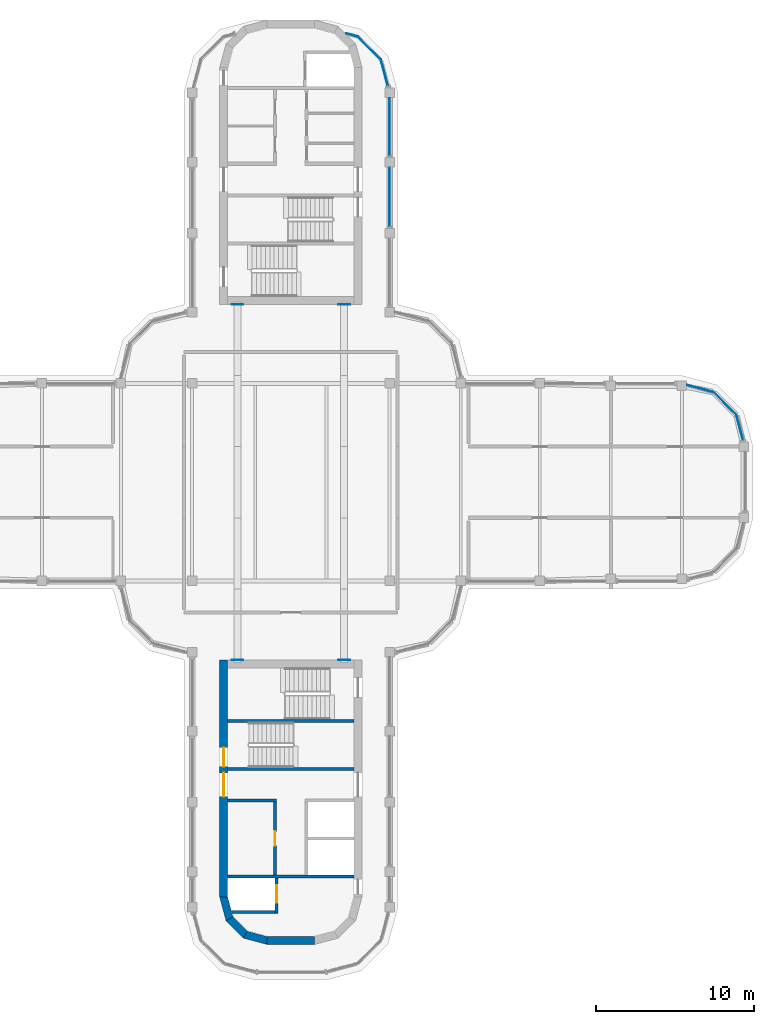
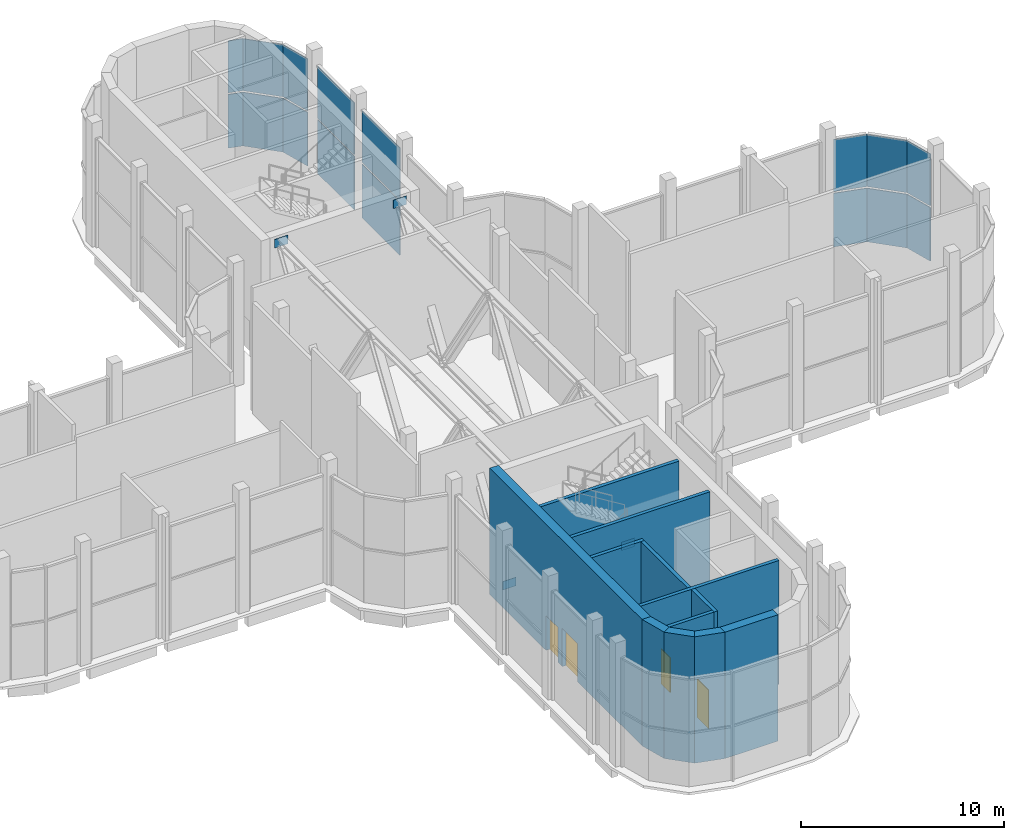
# One storey, part 10 of 15: 20 plates, 12 walls, 4 doors, 4 openings, 7 elements without a shape of their own.
"""IFC4 building model written with IfcOpenShell, lengths in metres."""

from ifc_helpers import new_model, si_unit, direction, frame, frame_2d, origin, origin_2d, place, context, subcontext, project, spatial, polyline, rectangle, outline, extrude, source, transform, mapped, material, layer, layer_set, type_object, element, fill, aggregate, save


model = new_model("IFC4")

# Units and contexts
model_context = context("Model", 3, precision=1e-05, world=origin(), true_north=direction((0.0, 1.0)))
body_context = subcontext(model_context, "Body", "Model", "MODEL_VIEW")
ifc_project = project(units=[si_unit("LENGTHUNIT", "METRE"), si_unit("AREAUNIT", "SQUARE_METRE"), si_unit("VOLUMEUNIT", "CUBIC_METRE"), si_unit("PLANEANGLEUNIT", "RADIAN"), si_unit("MASSUNIT", "GRAM", prefix="KILO")], contexts=[model_context])

# Site, building, storey
site_placement = place(None, origin())
site = spatial("IfcSite", under=ifc_project, at=site_placement, CompositionType="ELEMENT")
building_placement = place(site_placement, origin())
building = spatial("IfcBuilding", under=site, at=building_placement, Name="Zarbagh Exchange Tower", CompositionType="ELEMENT")
storey_placement = place(building_placement, frame((0.0, 0.0, 284.0)))
storey = spatial("IfcBuildingStorey", under=building, at=storey_placement, Name="L70", CompositionType="ELEMENT", Elevation=284.0)

# Plates
ifc_material_1 = material(Name="Steel ASTM A572 Grade 50", Category="steel")
ifc_layer_1 = layer(ifc_material_1, 0.030029296875)
ifc_layer_set_1 = layer_set([ifc_layer_1], Name="Cast-in plate 750 x 510 x 30")
plate_type_1 = type_object("IfcPlateType", Name="Cast-in plate 750 x 510 x 30", PredefinedType="USERDEFINED", material=ifc_layer_set_1)
for number, where, z_axis, x_axis, name in (
    (1, (-3.375, -11.235107421875, 0.00146484375), (0.0, 0.0, 1.0), (1.0, 0.0, 0.0), "Cast-in plate MT2 south end 1"),
    (2, (-3.375, 11.235107421875, 6.9384765625), (0.0, 0.0, 1.0), (1.0, 0.0, 0.0), "Cast-in plate MT2 north end 1"),
    (3, (3.375, -11.235107421875, 0.00146484375), (0.0, 0.0, 1.0), (1.0, 0.0, 0.0), "Cast-in plate MT2 south end 2"),
    (4, (3.375, 11.235107421875, 6.9384765625), (0.0, 0.0, 1.0), (1.0, 0.0, 0.0), "Cast-in plate MT2 north end 2"),
):
    element("IfcPlate", number, at=place(storey_placement, frame(where, z_axis=z_axis, x_axis=x_axis)), inside=storey, type_object=plate_type_1, Name=name, ObjectType="MOUNTING PLATE", PredefinedType="USERDEFINED", context=body_context, shape_type="SweptSolid", body=[
        extrude(rectangle(XDim=0.75, YDim=0.030029296875, at=origin_2d()), origin(), (0.0, 0.0, 1.0), 0.510009765625),
    ])

# Curtain wall, plate
ifc_material_2 = material(Name="Anodised aluminium frame and glazing", Category="aluminium")
curtain_wall_type = type_object("IfcCurtainWallType", Name="CWE Damper-floor glazed wall", PredefinedType="NOTDEFINED", material=ifc_material_2)
curtain_wall_1_placement = place(storey_placement, origin())
curtain_wall_1 = element("IfcCurtainWall", 5, at=curtain_wall_1_placement, inside=storey, type_object=curtain_wall_type, Name="CWE14 curtain wall", PredefinedType="NOTDEFINED")
ifc_material_3 = material(Name="Low-e double glazed unit, 6+12+6 mm")
ifc_layer_2 = layer(ifc_material_3, 0.0400390625)
ifc_layer_set_2 = layer_set([ifc_layer_2], Name="PAE Glazing panel, Low-e double glazed unit, 6+12+6 mm")
plate_type_2 = type_object("IfcPlateType", Name="PAE Glazing panel, Low-e double glazed unit, 6+12+6 mm", PredefinedType="CURTAIN_PANEL", material=ifc_layer_set_2)
shared_shape_1 = source(origin(), body_context, "Body", "SweptSolid", [
    extrude(outline(polyline([(0.0, -0.02001953125), (2.061279296875, -0.02001953125), (2.061279296875, 0.02001953125), (0.0, 0.02001953125), (0.0, -0.02001953125)])), origin(), (0.0, 0.0, 1.0), 3.22509765625),
])
placement = place(storey_placement, origin())
plate_1 = element("IfcPlate", 6, at=placement, type_object=plate_type_2, Name="CWE14 glazing panel 1.1", PredefinedType="CURTAIN_PANEL", context=body_context, shape_type="MappedRepresentation", body=[
    mapped(shared_shape_1, transform((28.19873046875, 4.2412109375, 0.0), x_axis=(-0.707106781187, 0.707106781187, 0.0), y_axis=(-0.707106781187, -0.707106781187, 0.0), z_axis=(0.0, 0.0, 1.0))),
])

curtain_wall_2_placement = place(storey_placement, origin())
curtain_wall_2 = element("IfcCurtainWall", 7, at=curtain_wall_2_placement, inside=storey, type_object=curtain_wall_type, Name="CWE22 curtain wall", PredefinedType="NOTDEFINED")
plate_2 = element("IfcPlate", 8, at=placement, type_object=plate_type_2, Name="CWE22 glazing panel 1.1", PredefinedType="CURTAIN_PANEL", context=body_context, shape_type="MappedRepresentation", body=[
    mapped(shared_shape_1, transform((5.69873046875, 26.7412109375, 0.0), x_axis=(-0.707106781187, 0.707106781187, 0.0), y_axis=(-0.707106781187, -0.707106781187, 0.0), z_axis=(0.0, 0.0, 1.0))),
])

# Plate
shared_shape_2 = source(origin(), body_context, "Body", "SweptSolid", [
    extrude(outline(polyline([(0.0, -0.02001953125), (2.061279296875, -0.02001953125), (2.061279296875, 0.02001953125), (0.0, 0.02001953125), (0.0, -0.02001953125)])), origin(), (0.0, 0.0, 1.0), 3.125),
])
plate_3 = element("IfcPlate", 9, at=placement, type_object=plate_type_2, Name="CWE14 glazing panel 1.1", PredefinedType="CURTAIN_PANEL", context=body_context, shape_type="MappedRepresentation", body=[
    mapped(shared_shape_2, transform((28.19873046875, 4.2412109375, 3.324951171875), x_axis=(-0.707106781187, 0.707106781187, 0.0), y_axis=(-0.707106781187, -0.707106781187, 0.0), z_axis=(0.0, 0.0, 1.0))),
])

aggregate(curtain_wall_1, [plate_1, plate_3])

plate_4 = element("IfcPlate", 10, at=placement, type_object=plate_type_2, Name="CWE22 glazing panel 1.1", PredefinedType="CURTAIN_PANEL", context=body_context, shape_type="MappedRepresentation", body=[
    mapped(shared_shape_2, transform((5.69873046875, 26.7412109375, 3.324951171875), x_axis=(-0.707106781187, 0.707106781187, 0.0), y_axis=(-0.707106781187, -0.707106781187, 0.0), z_axis=(0.0, 0.0, 1.0))),
])

aggregate(curtain_wall_2, [plate_2, plate_4])

# Curtain wall, plates
curtain_wall_3_placement = place(storey_placement, origin())
curtain_wall_3 = element("IfcCurtainWall", 11, at=curtain_wall_3_placement, inside=storey, type_object=curtain_wall_type, Name="CWE20 curtain wall", PredefinedType="NOTDEFINED")
shared_shape_3 = source(origin(), body_context, "Body", "SweptSolid", [
    extrude(outline(polyline([(0.0, -0.02001953125), (3.6201171875, -0.02001953125), (3.6201171875, 0.02001953125), (0.0, 0.02001953125), (0.0, -0.02001953125)])), origin(), (0.0, 0.0, 1.0), 3.22509765625),
])
plate_5 = element("IfcPlate", 12, at=placement, type_object=plate_type_2, Name="CWE20 glazing panel 3.1", PredefinedType="CURTAIN_PANEL", context=body_context, shape_type="MappedRepresentation", body=[
    mapped(shared_shape_3, transform((6.25, 20.68994140625, 0.0), x_axis=(0.0, 1.0, 0.0), y_axis=(-1.0, 0.0, 0.0), z_axis=(0.0, 0.0, 1.0))),
])
shared_shape_4 = source(origin(), body_context, "Body", "SweptSolid", [
    extrude(outline(polyline([(0.0, -0.02001953125), (3.6201171875, -0.02001953125), (3.6201171875, 0.02001953125), (0.0, 0.02001953125), (0.0, -0.02001953125)])), origin(), (0.0, 0.0, 1.0), 3.125),
])
plate_6 = element("IfcPlate", 13, at=placement, type_object=plate_type_2, Name="CWE20 glazing panel 3.1", PredefinedType="CURTAIN_PANEL", context=body_context, shape_type="MappedRepresentation", body=[
    mapped(shared_shape_4, transform((6.25, 20.68994140625, 3.324951171875), x_axis=(0.0, 1.0, 0.0), y_axis=(-1.0, 0.0, 0.0), z_axis=(0.0, 0.0, 1.0))),
])
shared_shape_5 = source(origin(), body_context, "Body", "SweptSolid", [
    extrude(outline(polyline([(0.0, -0.02001953125), (3.719970703125, -0.02001953125), (3.719970703125, 0.02001953125), (0.0, 0.02001953125), (0.0, -0.02001953125)])), origin(), (0.0, 0.0, 1.0), 3.22509765625),
])
plate_7 = element("IfcPlate", 14, at=placement, type_object=plate_type_2, Name="CWE20 glazing panel 2.1", PredefinedType="CURTAIN_PANEL", context=body_context, shape_type="MappedRepresentation", body=[
    mapped(shared_shape_5, transform((6.25, 16.18994140625, 0.0), x_axis=(0.0, 1.0, 0.0), y_axis=(-1.0, 0.0, 0.0), z_axis=(0.0, 0.0, 1.0))),
])
shared_shape_6 = source(origin(), body_context, "Body", "SweptSolid", [
    extrude(outline(polyline([(0.0, -0.02001953125), (3.719970703125, -0.02001953125), (3.719970703125, 0.02001953125), (0.0, 0.02001953125), (0.0, -0.02001953125)])), origin(), (0.0, 0.0, 1.0), 3.125),
])
plate_8 = element("IfcPlate", 15, at=placement, type_object=plate_type_2, Name="CWE20 glazing panel 2.1", PredefinedType="CURTAIN_PANEL", context=body_context, shape_type="MappedRepresentation", body=[
    mapped(shared_shape_6, transform((6.25, 16.18994140625, 3.324951171875), x_axis=(0.0, 1.0, 0.0), y_axis=(-1.0, 0.0, 0.0), z_axis=(0.0, 0.0, 1.0))),
])
aggregate(curtain_wall_3, [plate_7, plate_8, plate_5, plate_6])

curtain_wall_4_placement = place(storey_placement, origin())
curtain_wall_4 = element("IfcCurtainWall", 16, at=curtain_wall_4_placement, inside=storey, type_object=curtain_wall_type, Name="CWE13 curtain wall", PredefinedType="NOTDEFINED")
shared_shape_7 = source(origin(), body_context, "Body", "SweptSolid", [
    extrude(outline(polyline([(0.0, -0.02001953125), (1.609619140625, -0.02001953125), (1.609619140625, 0.02001953125), (0.0, 0.02001953125), (0.0, -0.02001953125)])), origin(), (0.0, 0.0, 1.0), 3.22509765625),
])
plate_9 = element("IfcPlate", 17, at=placement, type_object=plate_type_2, Name="CWE13 glazing panel 1.1", PredefinedType="CURTAIN_PANEL", context=body_context, shape_type="MappedRepresentation", body=[
    mapped(shared_shape_7, transform((28.615478515625, 2.6865234375, 0.0), x_axis=(-0.258824779902, 0.965924289636, 0.0), y_axis=(-0.965924289636, -0.258824779902, 0.0), z_axis=(0.0, 0.0, 1.0))),
])
shared_shape_8 = source(origin(), body_context, "Body", "SweptSolid", [
    extrude(outline(polyline([(0.0, -0.02001953125), (1.609619140625, -0.02001953125), (1.609619140625, 0.02001953125), (0.0, 0.02001953125), (0.0, -0.02001953125)])), origin(), (0.0, 0.0, 1.0), 3.125),
])
plate_10 = element("IfcPlate", 18, at=placement, type_object=plate_type_2, Name="CWE13 glazing panel 1.1", PredefinedType="CURTAIN_PANEL", context=body_context, shape_type="MappedRepresentation", body=[
    mapped(shared_shape_8, transform((28.615478515625, 2.6865234375, 3.324951171875), x_axis=(-0.258824779902, 0.965924289636, 0.0), y_axis=(-0.965924289636, -0.258824779902, 0.0), z_axis=(0.0, 0.0, 1.0))),
])
aggregate(curtain_wall_4, [plate_9, plate_10])

curtain_wall_5_placement = place(storey_placement, origin())
curtain_wall_5 = element("IfcCurtainWall", 19, at=curtain_wall_5_placement, inside=storey, type_object=curtain_wall_type, Name="CWE15 curtain wall", PredefinedType="NOTDEFINED")
shared_shape_9 = source(origin(), body_context, "Body", "SweptSolid", [
    extrude(outline(polyline([(0.0, -0.02001953125), (1.70947265625, -0.02001953125), (1.70947265625, 0.02001953125), (0.0, 0.02001953125), (0.0, -0.02001953125)])), origin(), (0.0, 0.0, 1.0), 3.22509765625),
])
plate_11 = element("IfcPlate", 20, at=placement, type_object=plate_type_2, Name="CWE15 glazing panel 1.1", PredefinedType="CURTAIN_PANEL", context=body_context, shape_type="MappedRepresentation", body=[
    mapped(shared_shape_9, transform((26.7412109375, 5.69873046875, 0.0), x_axis=(-0.965924289636, 0.258824779902, 0.0), y_axis=(-0.258824779902, -0.965924289636, 0.0), z_axis=(0.0, 0.0, 1.0))),
])
shared_shape_10 = source(origin(), body_context, "Body", "SweptSolid", [
    extrude(outline(polyline([(0.0, -0.02001953125), (1.70947265625, -0.02001953125), (1.70947265625, 0.02001953125), (0.0, 0.02001953125), (0.0, -0.02001953125)])), origin(), (0.0, 0.0, 1.0), 3.125),
])
plate_12 = element("IfcPlate", 21, at=placement, type_object=plate_type_2, Name="CWE15 glazing panel 1.1", PredefinedType="CURTAIN_PANEL", context=body_context, shape_type="MappedRepresentation", body=[
    mapped(shared_shape_10, transform((26.7412109375, 5.69873046875, 3.324951171875), x_axis=(-0.965924289636, 0.258824779902, 0.0), y_axis=(-0.258824779902, -0.965924289636, 0.0), z_axis=(0.0, 0.0, 1.0))),
])
aggregate(curtain_wall_5, [plate_11, plate_12])

curtain_wall_6_placement = place(storey_placement, origin())
curtain_wall_6 = element("IfcCurtainWall", 22, at=curtain_wall_6_placement, inside=storey, type_object=curtain_wall_type, Name="CWE21 curtain wall", PredefinedType="NOTDEFINED")
shared_shape_11 = source(origin(), body_context, "Body", "SweptSolid", [
    extrude(outline(polyline([(0.0, -0.02001953125), (1.712890625, -0.02001953125), (1.712890625, 0.02001953125), (0.0, 0.02001953125), (0.0, -0.02001953125)])), origin(), (0.0, 0.0, 1.0), 3.22509765625),
])
plate_13 = element("IfcPlate", 23, at=placement, type_object=plate_type_2, Name="CWE21 glazing panel 1.1", PredefinedType="CURTAIN_PANEL", context=body_context, shape_type="MappedRepresentation", body=[
    mapped(shared_shape_11, transform((6.14208984375, 25.086669921875, 0.0), x_axis=(-0.258824779902, 0.965924289636, 0.0), y_axis=(-0.965924289636, -0.258824779902, 0.0), z_axis=(0.0, 0.0, 1.0))),
])
shared_shape_12 = source(origin(), body_context, "Body", "SweptSolid", [
    extrude(outline(polyline([(0.0, -0.02001953125), (1.712890625, -0.02001953125), (1.712890625, 0.02001953125), (0.0, 0.02001953125), (0.0, -0.02001953125)])), origin(), (0.0, 0.0, 1.0), 3.125),
])
plate_14 = element("IfcPlate", 24, at=placement, type_object=plate_type_2, Name="CWE21 glazing panel 1.1", PredefinedType="CURTAIN_PANEL", context=body_context, shape_type="MappedRepresentation", body=[
    mapped(shared_shape_12, transform((6.14208984375, 25.086669921875, 3.324951171875), x_axis=(-0.258824779902, 0.965924289636, 0.0), y_axis=(-0.965924289636, -0.258824779902, 0.0), z_axis=(0.0, 0.0, 1.0))),
])
aggregate(curtain_wall_6, [plate_13, plate_14])

curtain_wall_7_placement = place(storey_placement, origin())
curtain_wall_7 = element("IfcCurtainWall", 25, at=curtain_wall_7_placement, inside=storey, type_object=curtain_wall_type, Name="CWE23 curtain wall", PredefinedType="NOTDEFINED")
shared_shape_13 = source(origin(), body_context, "Body", "SweptSolid", [
    extrude(outline(polyline([(0.0, -0.02001953125), (0.757080078125, -0.02001953125), (0.757080078125, 0.02001953125), (0.0, 0.02001953125), (0.0, -0.02001953125)])), origin(), (0.0, 0.0, 1.0), 3.22509765625),
])
plate_15 = element("IfcPlate", 26, at=placement, type_object=plate_type_2, Name="CWE23 glazing panel 1.1", PredefinedType="CURTAIN_PANEL", context=body_context, shape_type="MappedRepresentation", body=[
    mapped(shared_shape_13, transform((4.2412109375, 28.19873046875, 0.0), x_axis=(-0.965924289636, 0.258824779902, 0.0), y_axis=(-0.258824779902, -0.965924289636, 0.0), z_axis=(0.0, 0.0, 1.0))),
])
shared_shape_14 = source(origin(), body_context, "Body", "SweptSolid", [
    extrude(outline(polyline([(0.0, -0.02001953125), (0.757080078125, -0.02001953125), (0.757080078125, 0.02001953125), (0.0, 0.02001953125), (0.0, -0.02001953125)])), origin(), (0.0, 0.0, 1.0), 3.125),
])
plate_16 = element("IfcPlate", 27, at=placement, type_object=plate_type_2, Name="CWE23 glazing panel 1.1", PredefinedType="CURTAIN_PANEL", context=body_context, shape_type="MappedRepresentation", body=[
    mapped(shared_shape_14, transform((4.2412109375, 28.19873046875, 3.324951171875), x_axis=(-0.965924289636, 0.258824779902, 0.0), y_axis=(-0.258824779902, -0.965924289636, 0.0), z_axis=(0.0, 0.0, 1.0))),
])
aggregate(curtain_wall_7, [plate_15, plate_16])

# Walls
ifc_material_4 = material(Name="Concrete C40/50", Category="concrete")
ifc_layer_3 = layer(ifc_material_4, 0.5)
ifc_layer_set_3 = layer_set([ifc_layer_3], Name="RC core corner wall 500 C40/50")
wall_type_1 = type_object("IfcWallType", Name="RC core corner wall 500 C40/50", PredefinedType="SHEAR", material=ifc_layer_set_3)
wall_1_placement = place(storey_placement, origin())
element("IfcWall", 28, at=wall_1_placement, inside=storey, type_object=wall_type_1, Name="CW10 core S corner W", PredefinedType="SHEAR", context=body_context, shape_type="SweptSolid", body=[
    extrude(outline(polyline([(-4.5, -26.25), (-4.09814453125, -27.75), (-3.6650390625, -27.5), (-4.0, -26.25), (-4.5, -26.25)])), origin(), (0.0, 0.0, 1.0), 7.60009765625),
])
wall_2_placement = place(storey_placement, origin())
element("IfcWall", 29, at=wall_2_placement, inside=storey, type_object=wall_type_1, Name="CW10 core S corner W", PredefinedType="SHEAR", context=body_context, shape_type="SweptSolid", body=[
    extrude(outline(polyline([(-4.09814453125, -27.75), (-3.0, -28.84814453125), (-2.75, -28.4150390625), (-3.6650390625, -27.5), (-4.09814453125, -27.75)])), origin(), (0.0, 0.0, 1.0), 7.60009765625),
])
wall_3_placement = place(storey_placement, origin())
element("IfcWall", 30, at=wall_3_placement, inside=storey, type_object=wall_type_1, Name="CW10 core S corner W", PredefinedType="SHEAR", context=body_context, shape_type="SweptSolid", body=[
    extrude(outline(polyline([(-3.0, -28.84814453125), (-1.5, -29.25), (-1.5, -28.75), (-2.75, -28.4150390625), (-3.0, -28.84814453125)])), origin(), (0.0, 0.0, 1.0), 7.60009765625),
])

# Wall, openings, doors
ifc_layer_4 = layer(ifc_material_4, 0.5)
ifc_layer_set_4 = layer_set([ifc_layer_4], Name="RC core wall 500 C40/50")
wall_type_2 = type_object("IfcWallType", Name="RC core wall 500 C40/50", PredefinedType="SHEAR", material=ifc_layer_set_4)
wall_4_placement = place(storey_placement, frame((-4.25, -11.25, 0.0), z_axis=(0.0, 0.0, 1.0), x_axis=(0.0, -1.0, 0.0)))
wall_4 = element("IfcWall", 31, at=wall_4_placement, inside=storey, type_object=wall_type_2, Name="CW9 core S W", PredefinedType="SHEAR", context=body_context, shape_type="SweptSolid", body=[
    extrude(rectangle(XDim=15.0, YDim=0.5, at=frame_2d((7.5, 0.0))), origin(), (0.0, 0.0, 1.0), 7.60009765625),
])
opening_1_placement = place(wall_4_placement, frame((7.14990234375, 0.0, 0.0)))
opening_1 = element("IfcOpeningElement", 32, at=opening_1_placement, cuts=wall_4, Name="Opening CD1-1500", PredefinedType="OPENING", context=body_context, shape_type="SweptSolid", body=[
    extrude(rectangle(XDim=1.5, YDim=2.300048828125, at=frame_2d((0.75, 1.14990234375))), frame((0.0, 0.260009765625, 0.0), z_axis=(0.0, -1.0, 0.0), x_axis=(1.0, 0.0, 0.0)), (0.0, 0.0, 1.0), 0.52001953125),
])
opening_2_placement = place(wall_4_placement, frame((5.550048828125, 0.0, 0.0)))
opening_2 = element("IfcOpeningElement", 33, at=opening_2_placement, cuts=wall_4, Name="Opening SD1-1200", PredefinedType="OPENING", context=body_context, shape_type="SweptSolid", body=[
    extrude(rectangle(XDim=1.199951171875, YDim=2.10009765625, at=frame_2d((0.60009765625, 1.050048828125))), frame((0.0, 0.260009765625, 0.0), z_axis=(0.0, -1.0, 0.0), x_axis=(1.0, 0.0, 0.0)), (0.0, 0.0, 1.0), 0.52001953125),
])
ifc_material_5 = material(Name="Steel", Category="steel")
door_type_1 = type_object("IfcDoorType", Name="Exit stair door 1200 x 2100", OperationType="NOTDEFINED", PredefinedType="DOOR", material=ifc_material_5)
door_1_placement = place(opening_2_placement, origin())
door_1 = element("IfcDoor", 34, at=door_1_placement, inside=storey, type_object=door_type_1, Name="South core stair door ST1", OperationType="SINGLE_SWING_LEFT", OverallHeight=2.10009765625, OverallWidth=1.199951171875, PredefinedType="DOOR", context=body_context, shape_type="SweptSolid", body=[
    extrude(rectangle(XDim=1.199951171875, YDim=2.10009765625, at=frame_2d((0.60009765625, 1.050048828125))), frame((0.0, 0.02490234375, 0.0), z_axis=(0.0, -1.0, 0.0), x_axis=(1.0, 0.0, 0.0)), (0.0, 0.0, 1.0), 0.050048828125),
])
fill(opening_2, door_1)
door_type_2 = type_object("IfcDoorType", Name="Lift lobby double door 1500 x 2300", OperationType="NOTDEFINED", PredefinedType="DOOR", material=ifc_material_5)
door_2_placement = place(opening_1_placement, origin())
door_2 = element("IfcDoor", 35, at=door_2_placement, inside=storey, type_object=door_type_2, Name="South core lift lobby door LOBBY-E", OperationType="DOUBLE_DOOR_SINGLE_SWING", OverallHeight=2.300048828125, OverallWidth=1.5, PredefinedType="DOOR", context=body_context, shape_type="SweptSolid", body=[
    extrude(rectangle(XDim=1.5, YDim=2.300048828125, at=frame_2d((0.75, 1.14990234375))), frame((0.0, 0.02490234375, 0.0), z_axis=(0.0, -1.0, 0.0), x_axis=(1.0, 0.0, 0.0)), (0.0, 0.0, 1.0), 0.050048828125),
])
fill(opening_1, door_2)

# Walls
wall_5_placement = place(storey_placement, frame((-1.5, -29.0, 0.0), z_axis=(0.0, 0.0, 1.0), x_axis=(1.0, 0.0, 0.0)))
element("IfcWall", 36, at=wall_5_placement, inside=storey, type_object=wall_type_2, Name="CW9 core S outer end", PredefinedType="SHEAR", context=body_context, shape_type="SweptSolid", body=[
    extrude(rectangle(XDim=3.0, YDim=0.5, at=frame_2d((1.5, 0.0))), origin(), (0.0, 0.0, 1.0), 7.60009765625),
])
ifc_material_6 = material(Name="Dense blockwork", Category="masonry")
ifc_layer_5 = layer(ifc_material_6, 0.199951171875)
ifc_layer_set_5 = layer_set([ifc_layer_5], Name="Shaft wall 200 mm blockwork")
wall_type_3 = type_object("IfcWallType", Name="Shaft wall 200 mm blockwork", PredefinedType="PARTITIONING", material=ifc_layer_set_5)
wall_6_placement = place(storey_placement, frame((-0.89990234375, -20.14990234375, 0.0), z_axis=(0.0, 0.0, 1.0), x_axis=(-1.0, 0.0, 0.0)))
element("IfcWall", 37, at=wall_6_placement, inside=storey, type_object=wall_type_3, Name="South core shaft wall AB-E", PredefinedType="PARTITIONING", context=body_context, shape_type="SweptSolid", body=[
    extrude(rectangle(XDim=3.10009765625, YDim=0.199951171875, at=frame_2d((1.550048828125, 0.0))), origin(), (0.0, 0.0, 1.0), 7.449951171875),
])

# Wall, opening, door
wall_7_placement = place(storey_placement, frame((-1.0, -24.85009765625, 0.0), z_axis=(0.0, 0.0, 1.0), x_axis=(0.0, 1.0, 0.0)))
wall_7 = element("IfcWall", 38, at=wall_7_placement, inside=storey, type_object=wall_type_3, Name="South core shaft wall LW-E", PredefinedType="PARTITIONING", context=body_context, shape_type="SweptSolid", body=[
    extrude(rectangle(XDim=4.60009765625, YDim=0.199951171875, at=frame_2d((2.300048828125, 0.0))), origin(), (0.0, 0.0, 1.0), 7.449951171875),
])
opening_3_placement = place(wall_7_placement, frame((1.85009765625, 0.0, 0.0)))
opening_3 = element("IfcOpeningElement", 39, at=opening_3_placement, cuts=wall_7, Name="Opening CD3-900", PredefinedType="OPENING", context=body_context, shape_type="SweptSolid", body=[
    extrude(rectangle(XDim=0.89990234375, YDim=2.10009765625, at=frame_2d((0.449951171875, 1.050048828125))), frame((0.0, 0.10986328125, 0.0), z_axis=(0.0, -1.0, 0.0), x_axis=(1.0, 0.0, 0.0)), (0.0, 0.0, 1.0), 0.219970703125),
])
door_type_3 = type_object("IfcDoorType", Name="Core room door 900 x 2100", OperationType="NOTDEFINED", PredefinedType="DOOR", material=ifc_material_5)
door_3_placement = place(opening_3_placement, origin())
door_3 = element("IfcDoor", 40, at=door_3_placement, inside=storey, type_object=door_type_3, Name="South core Plant room door RD-E-0", OperationType="SINGLE_SWING_LEFT", OverallHeight=2.10009765625, OverallWidth=0.89990234375, PredefinedType="DOOR", context=body_context, shape_type="SweptSolid", body=[
    extrude(rectangle(XDim=0.89990234375, YDim=2.10009765625, at=frame_2d((0.449951171875, 1.050048828125))), frame((0.0, 0.02490234375, 0.0), z_axis=(0.0, -1.0, 0.0), x_axis=(1.0, 0.0, 0.0)), (0.0, 0.0, 1.0), 0.050048828125),
])
fill(opening_3, door_3)

# Wall
ifc_layer_6 = layer(ifc_material_4, 0.199951171875)
ifc_layer_set_6 = layer_set([ifc_layer_6], Name="Stair enclosure wall 200 mm RC C40/50")
wall_type_4 = type_object("IfcWallType", Name="Stair enclosure wall 200 mm RC C40/50", PredefinedType="SHEAR", material=ifc_layer_set_6)
wall_8_placement = place(storey_placement, frame((4.0, -24.949951171875, 0.0), z_axis=(0.0, 0.0, 1.0), x_axis=(-1.0, 0.0, 0.0)))
element("IfcWall", 41, at=wall_8_placement, inside=storey, type_object=wall_type_4, Name="South core lift shaft wall FFA", PredefinedType="SHEAR", context=body_context, shape_type="SweptSolid", body=[
    extrude(rectangle(XDim=8.0, YDim=0.199951171875, at=frame_2d((4.0, 0.0))), origin(), (0.0, 0.0, 1.0), 7.449951171875),
])

# Wall, opening, door
wall_9_placement = place(storey_placement, frame((-0.89990234375, -27.300048828125, 0.0), z_axis=(0.0, 0.0, 1.0), x_axis=(0.0, 1.0, 0.0)))
wall_9 = element("IfcWall", 42, at=wall_9_placement, inside=storey, type_object=wall_type_4, Name="South core lift shaft wall FFL", PredefinedType="SHEAR", context=body_context, shape_type="SweptSolid", body=[
    extrude(rectangle(XDim=2.25, YDim=0.199951171875, at=frame_2d((1.125, 0.0))), origin(), (0.0, 0.0, 1.0), 7.449951171875),
])
opening_4_placement = place(wall_9_placement, frame((0.699951171875, 0.0, 0.0)))
opening_4 = element("IfcOpeningElement", 43, at=opening_4_placement, cuts=wall_9, Name="Opening LD-1100", PredefinedType="OPENING", context=body_context, shape_type="SweptSolid", body=[
    extrude(rectangle(XDim=1.10009765625, YDim=2.300048828125, at=frame_2d((0.550048828125, 1.14990234375))), frame((0.0, 0.10986328125, 0.0), z_axis=(0.0, -1.0, 0.0), x_axis=(1.0, 0.0, 0.0)), (0.0, 0.0, 1.0), 0.219970703125),
])
ifc_material_7 = material(Name="Stainless steel", Category="steel")
door_type_4 = type_object("IfcDoorType", Name="Lift landing door 1100 x 2300", OperationType="NOTDEFINED", PredefinedType="DOOR", material=ifc_material_7)
door_4_placement = place(opening_4_placement, origin())
door_4 = element("IfcDoor", 44, at=door_4_placement, inside=storey, type_object=door_type_4, Name="South core lift landing door LD-F", OperationType="DOUBLE_DOOR_SLIDING", OverallHeight=2.300048828125, OverallWidth=1.10009765625, PredefinedType="DOOR", context=body_context, shape_type="SweptSolid", body=[
    extrude(rectangle(XDim=1.10009765625, YDim=2.300048828125, at=frame_2d((0.550048828125, 1.14990234375))), frame((0.0, 0.02490234375, 0.0), z_axis=(0.0, -1.0, 0.0), x_axis=(1.0, 0.0, 0.0)), (0.0, 0.0, 1.0), 0.050048828125),
])
fill(opening_4, door_4)

# Walls
wall_10_placement = place(storey_placement, origin())
element("IfcWall", 45, at=wall_10_placement, inside=storey, type_object=wall_type_4, Name="South core lift shaft wall FFX", PredefinedType="SHEAR", context=body_context, shape_type="SweptSolid", body=[
    extrude(outline(polyline([(-1.0, -27.10009765625), (-3.754638671875, -27.10009765625), (-3.700927734375, -27.300048828125), (-1.0, -27.300048828125), (-1.0, -27.10009765625)])), origin(), (0.0, 0.0, 1.0), 7.449951171875),
])
for number, where, z_axis, x_axis, name in (
    (46, (4.0, -18.14990234375, 0.0), (0.0, 0.0, 1.0), (-1.0, 0.0, 0.0), "South core stair wall BS"),
    (47, (4.0, -15.10009765625, 0.0), (0.0, 0.0, 1.0), (-1.0, 0.0, 0.0), "South core stair wall ST12"),
):
    element("IfcWall", number, at=place(storey_placement, frame(where, z_axis=z_axis, x_axis=x_axis)), inside=storey, type_object=wall_type_4, Name=name, PredefinedType="SHEAR", context=body_context, shape_type="SweptSolid", body=[
        extrude(rectangle(XDim=8.0, YDim=0.199951171875, at=frame_2d((4.0, 0.0))), origin(), (0.0, 0.0, 1.0), 7.449951171875),
    ])

save(model, "model.ifc")
